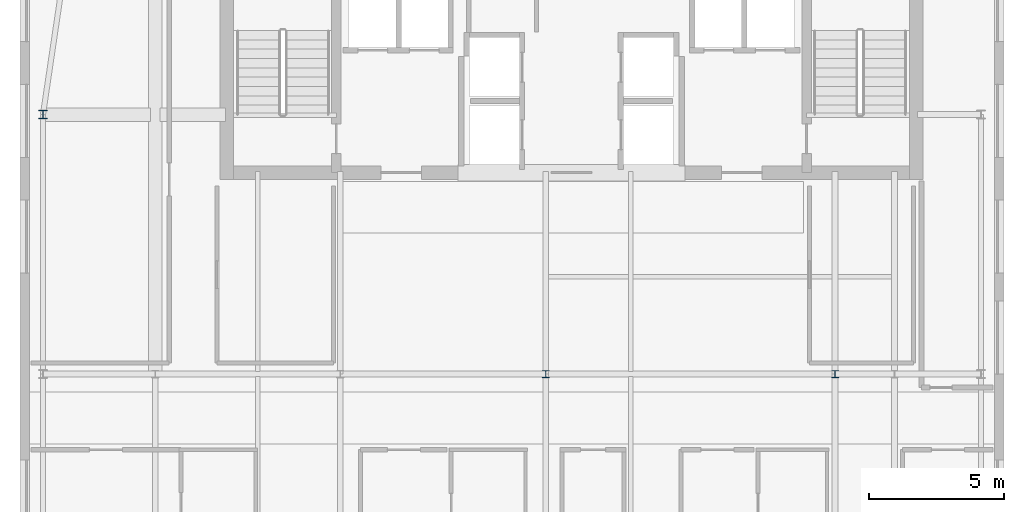
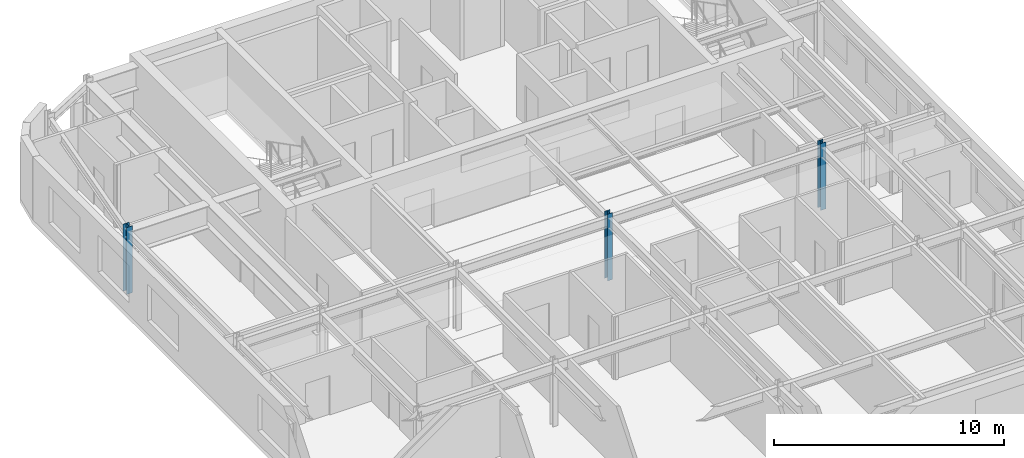
# One storey, part 2 of 12: 3 columns.
"""IFC4 building model written with IfcOpenShell, lengths in metres."""

from ifc_helpers import new_model, si_unit, direction, frame, origin, origin_2d, place, context, subcontext, project, spatial, i_section, extrude, source, transform, mapped, material, material_profile, profile_set, type_object, type_shapes, element, save


model = new_model("IFC4")

# Units and contexts
model_context = context("Model", 3, precision=1e-05, world=origin(), true_north=direction((0.0, 1.0)))
body_context = subcontext(model_context, "Body", "Model", "MODEL_VIEW")
ifc_project = project(units=[si_unit("LENGTHUNIT", "METRE"), si_unit("AREAUNIT", "SQUARE_METRE"), si_unit("VOLUMEUNIT", "CUBIC_METRE"), si_unit("PLANEANGLEUNIT", "RADIAN"), si_unit("MASSUNIT", "GRAM", prefix="KILO")], contexts=[model_context])

# Site, building, storey
site_placement = place(None, origin())
site = spatial("IfcSite", under=ifc_project, at=site_placement, CompositionType="ELEMENT")
building_placement = place(site_placement, origin())
building = spatial("IfcBuilding", under=site, at=building_placement, Name="Tolvann Quenvar Hotel", CompositionType="ELEMENT")
storey_placement = place(building_placement, frame((0.0, 0.0, 275.050048828125)))
storey = spatial("IfcBuildingStorey", under=building, at=storey_placement, Name="L73", CompositionType="ELEMENT", Elevation=275.050048828125)

# Columns
ifc_material = material(Name="Steel Grade 350", Category="steel")
ifc_material_profile_1 = material_profile(ifc_material, i_section(OverallWidth=0.306884765625, OverallDepth=0.31494140625, WebThickness=0.011962890625, FlangeThickness=0.018798828125, FilletRadius=0.0166015625, at=origin_2d()), Name="310UC118")
ifc_profile_set_1 = profile_set([ifc_material_profile_1], Name="Steel Grade 350")
column_type_1 = type_object("IfcColumnType", Name="COL_310UC118", PredefinedType="COLUMN", material=ifc_profile_set_1)
shared_shape_1 = source(origin(), body_context, "Body", "SweptSolid", [
    extrude(i_section(OverallWidth=0.306884765625, OverallDepth=0.31494140625, WebThickness=0.011962890625, FlangeThickness=0.018798828125, FilletRadius=0.0166015625, at=origin_2d()), origin(), (0.0, 0.0, 1.0), 3.550048828125),
])
type_shapes(column_type_1, [shared_shape_1])
column_placement = place(storey_placement, frame((3.449951171875, 34.0, 0.0), z_axis=(0.0, 0.0, 1.0), x_axis=(1.0, 0.0, 0.0)))
element("IfcColumn", 1, at=column_placement, inside=storey, type_object=column_type_1, Name="Column BD6 (L73)", PredefinedType="COLUMN", context=body_context, shape_type="MappedRepresentation", body=[
    mapped(shared_shape_1, transform((0.0, 0.0, 0.0), x_axis=(1.0, 0.0, 0.0), y_axis=(0.0, 1.0, 0.0), z_axis=(0.0, 0.0, 1.0), scale=1.0)),
])
ifc_material_profile_2 = material_profile(ifc_material, i_section(OverallWidth=0.256103515625, OverallDepth=0.260009765625, WebThickness=0.010498046875, FlangeThickness=0.017333984375, FilletRadius=0.013916015625, at=origin_2d()), Name="250UC90")
ifc_profile_set_2 = profile_set([ifc_material_profile_2], Name="Steel Grade 350")
column_type_2 = type_object("IfcColumnType", Name="COL_250UC90", PredefinedType="COLUMN", material=ifc_profile_set_2)
shared_shape_2 = source(origin(), body_context, "Body", "SweptSolid", [
    extrude(i_section(OverallWidth=0.256103515625, OverallDepth=0.260009765625, WebThickness=0.010498046875, FlangeThickness=0.017333984375, FilletRadius=0.013916015625, at=origin_2d()), origin(), (0.0, 0.0, 1.0), 3.550048828125),
])
type_shapes(column_type_2, [shared_shape_2])
for number, where, z_axis, x_axis, name in (
    (2, (22.050048828125, 24.39990234375, 0.0), (0.0, 0.0, 1.0), (1.0, 0.0, 0.0), "Column E5 (L73)"),
    (3, (32.75, 24.39990234375, 0.0), (0.0, 0.0, 1.0), (1.0, 0.0, 0.0), "Column FP5 (L73)"),
):
    element("IfcColumn", number, at=place(storey_placement, frame(where, z_axis=z_axis, x_axis=x_axis)), inside=storey, type_object=column_type_2, Name=name, PredefinedType="COLUMN", context=body_context, shape_type="MappedRepresentation", body=[
        mapped(shared_shape_2, transform((0.0, 0.0, 0.0), x_axis=(1.0, 0.0, 0.0), y_axis=(0.0, 1.0, 0.0), z_axis=(0.0, 0.0, 1.0), scale=1.0)),
    ])

save(model, "model.ifc")
